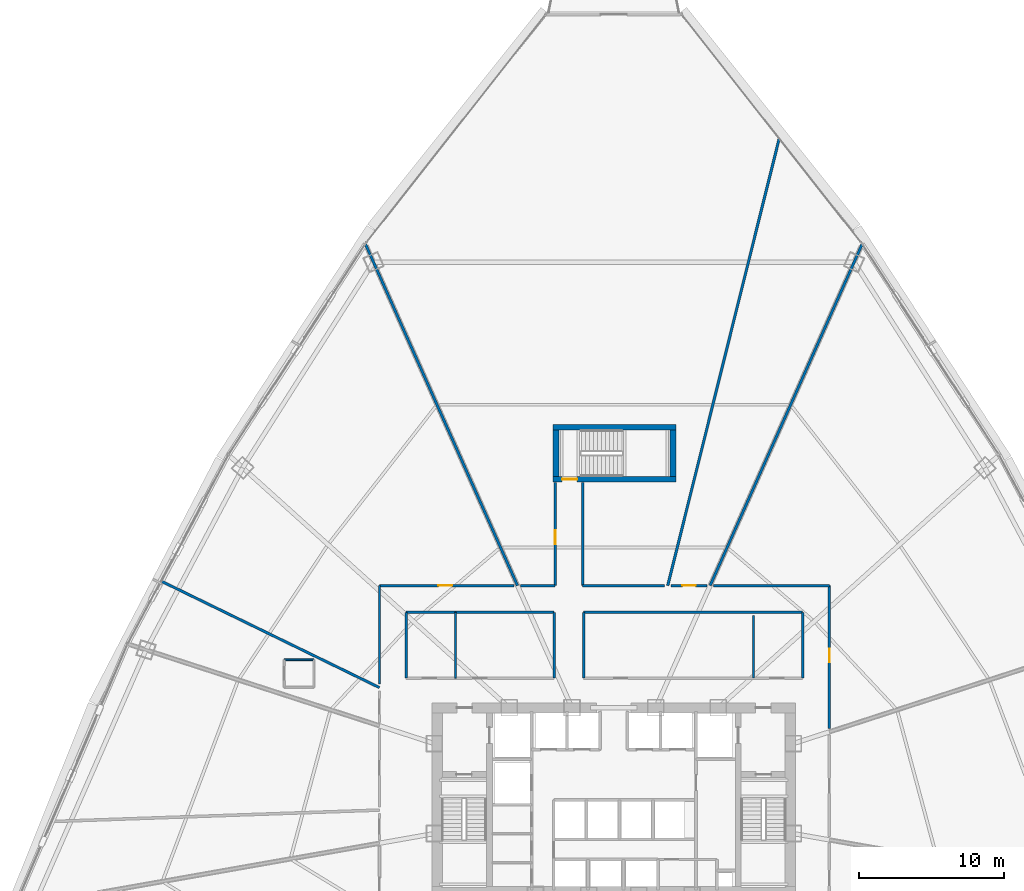
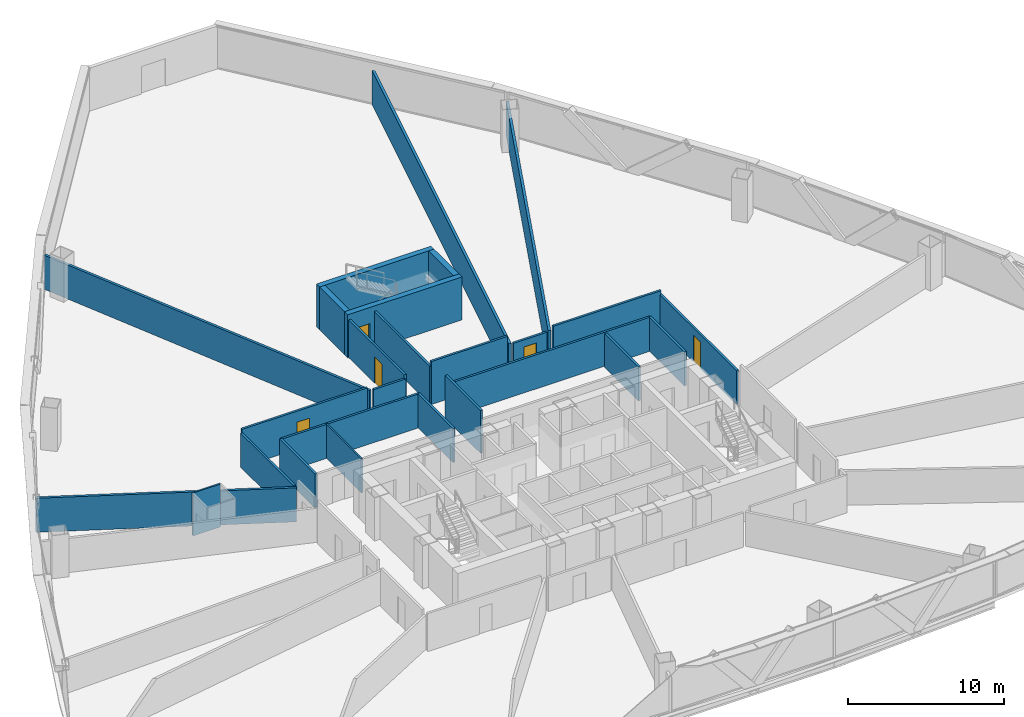
# One storey, part 31 of 37: 26 walls, 5 doors, 5 openings.
"""IFC4 building model written with IfcOpenShell, lengths in metres."""

from ifc_helpers import new_model, si_unit, direction, frame, frame_2d, origin, origin_with_axes, place, context, subcontext, project, spatial, rectangle, extrude, source, transform, mapped, material, layer, layer_set, type_object, element, fill, save


model = new_model("IFC4")

# Units and contexts
model_context = context("Model", 3, precision=1e-05, world=origin(), true_north=direction((0.0, 1.0)))
body_context = subcontext(model_context, "Body", "Model", "MODEL_VIEW")
ifc_project = project(units=[si_unit("LENGTHUNIT", "METRE"), si_unit("AREAUNIT", "SQUARE_METRE"), si_unit("VOLUMEUNIT", "CUBIC_METRE"), si_unit("PLANEANGLEUNIT", "RADIAN"), si_unit("MASSUNIT", "GRAM", prefix="KILO"), si_unit("THERMODYNAMICTEMPERATUREUNIT", "KELVIN"), si_unit("POWERUNIT", "WATT")], contexts=[model_context])

# Site, building, storey
site_placement = place(None, origin())
site = spatial("IfcSite", under=ifc_project, at=site_placement, CompositionType="ELEMENT")
building_placement = place(site_placement, origin())
building = spatial("IfcBuilding", under=site, at=building_placement, Name="Yunzhuo Pagoda Commons", CompositionType="ELEMENT")
storey_placement = place(building_placement, frame((0.0, 0.0, 55.81005859375)))
storey = spatial("IfcBuildingStorey", under=building, at=storey_placement, Name="L14", CompositionType="ELEMENT", Elevation=55.81005859375)

# Walls
ifc_material_1 = material(Name="Gypsum plasterboard on acoustic stud")
ifc_layer_1 = layer(ifc_material_1, 0.159912109375)
ifc_layer_set_1 = layer_set([ifc_layer_1], Name="Gypsum plasterboard on acoustic stud")
wall_type_1 = type_object("IfcWallType", Name="W-COR1 Tower Rated Corridor Wall 160", PredefinedType="PARTITIONING", material=ifc_layer_set_1)
wall_1_placement = place(storey_placement, frame((33.64990234375, 46.800048828125, 0.0), z_axis=(0.0, 0.0, 1.0), x_axis=(1.0, 0.0, 0.0)))
element("IfcWall", 1, at=wall_1_placement, inside=storey, type_object=wall_type_1, Name="L14 interior wall IW-L14-ISLWN", PredefinedType="PARTITIONING", context=body_context, shape_type="SweptSolid", body=[
    extrude(rectangle(XDim=10.22998046875, YDim=0.159912109375, at=frame_2d((5.114990234375, 0.0))), origin(), (0.0, 0.0, 1.0), 2.669921875),
])
for number, where, z_axis, x_axis, name in (
    (2, (33.64990234375, 42.25, 0.0), (0.0, 0.0, 1.0), (0.0, 1.0, 0.0), "L14 interior wall IW-L14-ISLWW"),
    (3, (43.8798828125, 42.25, 0.0), (0.0, 0.0, 1.0), (0.0, 1.0, 0.0), "L14 interior wall IW-L14-ISLWE"),
):
    element("IfcWall", number, at=place(storey_placement, frame(where, z_axis=z_axis, x_axis=x_axis)), inside=storey, type_object=wall_type_1, Name=name, PredefinedType="PARTITIONING", context=body_context, shape_type="SweptSolid", body=[
        extrude(rectangle(XDim=4.550048828125, YDim=0.159912109375, at=frame_2d((2.27490234375, 0.0))), origin(), (0.0, 0.0, 1.0), 2.669921875),
    ])
wall_2_placement = place(storey_placement, frame((45.919921875, 46.800048828125, 0.0), z_axis=(0.0, 0.0, 1.0), x_axis=(1.0, 0.0, 0.0)))
element("IfcWall", 4, at=wall_2_placement, inside=storey, type_object=wall_type_1, Name="L14 interior wall IW-L14-ISLEN", PredefinedType="PARTITIONING", context=body_context, shape_type="SweptSolid", body=[
    extrude(rectangle(XDim=15.130126953125, YDim=0.159912109375, at=frame_2d((7.56494140625, 0.0))), origin(), (0.0, 0.0, 1.0), 2.669921875),
])
wall_3_placement = place(storey_placement, frame((45.919921875, 42.25, 0.0), z_axis=(0.0, 0.0, 1.0), x_axis=(0.0, 1.0, 0.0)))
element("IfcWall", 5, at=wall_3_placement, inside=storey, type_object=wall_type_1, Name="L14 interior wall IW-L14-ISLEW", PredefinedType="PARTITIONING", context=body_context, shape_type="SweptSolid", body=[
    extrude(rectangle(XDim=4.550048828125, YDim=0.159912109375, at=frame_2d((2.27490234375, 0.0))), origin(), (0.0, 0.0, 1.0), 3.369873046875),
])
wall_4_placement = place(storey_placement, frame((61.050048828125, 42.25, 0.0), z_axis=(0.0, 0.0, 1.0), x_axis=(0.0, 1.0, 0.0)))
element("IfcWall", 6, at=wall_4_placement, inside=storey, type_object=wall_type_1, Name="L14 interior wall IW-L14-ISLEE", PredefinedType="PARTITIONING", context=body_context, shape_type="SweptSolid", body=[
    extrude(rectangle(XDim=4.550048828125, YDim=0.159912109375, at=frame_2d((2.27490234375, 0.0))), origin(), (0.0, 0.0, 1.0), 2.669921875),
])
wall_5_placement = place(storey_placement, frame((57.64990234375, 42.25, 0.0), z_axis=(0.0, 0.0, 1.0), x_axis=(0.0, 1.0, 0.0)))
element("IfcWall", 7, at=wall_5_placement, inside=storey, type_object=wall_type_1, Name="L14 interior wall IW-L14-ISL2W", PredefinedType="PARTITIONING", context=body_context, shape_type="SweptSolid", body=[
    extrude(rectangle(XDim=4.35009765625, YDim=0.159912109375, at=frame_2d((2.175048828125, 0.0))), origin(), (0.0, 0.0, 1.0), 2.669921875),
])
wall_6_placement = place(storey_placement, frame((31.800048828125, 41.84619140625, 0.0), z_axis=(0.0, 0.0, 1.0), x_axis=(0.0, 1.0, 0.0)))
element("IfcWall", 8, at=wall_6_placement, inside=storey, type_object=wall_type_1, Name="L14 interior wall IW-L14-CWL05", PredefinedType="PARTITIONING", context=body_context, shape_type="SweptSolid", body=[
    extrude(rectangle(XDim=6.8037109375, YDim=0.159912109375, at=frame_2d((3.40185546875, 0.0))), origin(), (0.0, 0.0, 1.0), 2.669921875),
])

# Wall, opening, door
wall_7_placement = place(storey_placement, frame((31.800048828125, 48.64990234375, 0.0), z_axis=(0.0, 0.0, 1.0), x_axis=(1.0, 0.0, 0.0)))
wall_7 = element("IfcWall", 9, at=wall_7_placement, inside=storey, type_object=wall_type_1, Name="L14 interior wall IW-L14-CWL06", PredefinedType="PARTITIONING", context=body_context, shape_type="SweptSolid", body=[
    extrude(rectangle(XDim=9.302978515625, YDim=0.159912109375, at=frame_2d((4.6513671875, 0.0))), origin(), (0.0, 0.0, 1.0), 2.969970703125),
])
opening_1_placement = place(wall_7_placement, frame((4.06689453125, 0.0, 0.0)))
opening_1 = element("IfcOpeningElement", 10, at=opening_1_placement, cuts=wall_7, Name="Opening D-06", PredefinedType="OPENING", context=body_context, shape_type="SweptSolid", body=[
    extrude(rectangle(XDim=0.949951171875, YDim=2.10009765625, at=frame_2d((0.47509765625, 1.050048828125))), frame((0.0, 0.08984375, 0.0), z_axis=(0.0, -1.0, 0.0), x_axis=(1.0, 0.0, 0.0)), (0.0, 0.0, 1.0), 0.179931640625),
])
ifc_material_2 = material(Name="Galvanized fire-resisting metal leaf")
door_type_1 = type_object("IfcDoorType", Name="D-06 Co-Living Suite Entrance Fire Door 950x2100", OperationType="NOTDEFINED", PredefinedType="DOOR", material=ifc_material_2)
shared_shape_1 = source(origin(), body_context, "Body", "SweptSolid", [
    extrude(rectangle(XDim=0.949951171875, YDim=2.10009765625, at=frame_2d((0.47509765625, 1.050048828125))), frame((0.0, 0.02490234375, 0.0), z_axis=(0.0, -1.0, 0.0), x_axis=(1.0, 0.0, 0.0)), (0.0, 0.0, 1.0), 0.050048828125),
])
door_1_placement = place(opening_1_placement, origin_with_axes())
door_1 = element("IfcDoor", 11, at=door_1_placement, inside=storey, type_object=door_type_1, Name="L14 Resident Co-Living Commons Hall door", OperationType="SINGLE_SWING_LEFT", OverallHeight=2.10009765625, OverallWidth=0.949951171875, PredefinedType="DOOR", context=body_context, shape_type="MappedRepresentation", body=[
    mapped(shared_shape_1, transform((0.0, 0.0, 0.0), scale=1.0)),
])
fill(opening_1, door_1)

# Wall
wall_8_placement = place(storey_placement, frame((41.563720703125, 48.64990234375, 0.0), z_axis=(0.0, 0.0, 1.0), x_axis=(1.0, 0.0, 0.0)))
element("IfcWall", 12, at=wall_8_placement, inside=storey, type_object=wall_type_1, Name="L14 interior wall IW-L14-CWL07", PredefinedType="PARTITIONING", context=body_context, shape_type="SweptSolid", body=[
    extrude(rectangle(XDim=2.38623046875, YDim=0.159912109375, at=frame_2d((1.193115234375, 0.0))), origin(), (0.0, 0.0, 1.0), 2.669921875),
])

# Wall, opening, door
wall_9_placement = place(storey_placement, frame((43.949951171875, 48.64990234375, 0.0), z_axis=(0.0, 0.0, 1.0), x_axis=(0.0, 1.0, 0.0)))
wall_9 = element("IfcWall", 13, at=wall_9_placement, inside=storey, type_object=wall_type_1, Name="L14 interior wall IW-L14-CWL08", PredefinedType="PARTITIONING", context=body_context, shape_type="SweptSolid", body=[
    extrude(rectangle(XDim=7.130126953125, YDim=0.159912109375, at=frame_2d((3.56494140625, 0.0))), origin(), (0.0, 0.0, 1.0), 2.969970703125),
])
opening_2_placement = place(wall_9_placement, frame((2.860107421875, 0.0, 0.0)))
opening_2 = element("IfcOpeningElement", 14, at=opening_2_placement, cuts=wall_9, Name="Opening D-06", PredefinedType="OPENING", context=body_context, shape_type="SweptSolid", body=[
    extrude(rectangle(XDim=0.949951171875, YDim=2.10009765625, at=frame_2d((0.47509765625, 1.050048828125))), frame((0.0, 0.08984375, 0.0), z_axis=(0.0, -1.0, 0.0), x_axis=(1.0, 0.0, 0.0)), (0.0, 0.0, 1.0), 0.179931640625),
])
door_2_placement = place(opening_2_placement, origin_with_axes())
door_2 = element("IfcDoor", 15, at=door_2_placement, inside=storey, type_object=door_type_1, Name="L14 unit 04 entrance door", OperationType="SINGLE_SWING_RIGHT", OverallHeight=2.10009765625, OverallWidth=0.949951171875, PredefinedType="DOOR", context=body_context, shape_type="MappedRepresentation", body=[
    mapped(shared_shape_1, transform((0.0, 0.0, 0.0), scale=1.0)),
])
fill(opening_2, door_2)

# Walls
wall_10_placement = place(storey_placement, frame((45.85009765625, 55.780029296875, 0.0), z_axis=(0.0, 0.0, 1.0), x_axis=(0.0, -1.0, 0.0)))
element("IfcWall", 16, at=wall_10_placement, inside=storey, type_object=wall_type_1, Name="L14 interior wall IW-L14-CWL09", PredefinedType="PARTITIONING", context=body_context, shape_type="SweptSolid", body=[
    extrude(rectangle(XDim=7.130126953125, YDim=0.159912109375, at=frame_2d((3.56494140625, 0.0))), origin(), (0.0, 0.0, 1.0), 2.969970703125),
])
wall_11_placement = place(storey_placement, frame((45.85009765625, 48.64990234375, 0.0), z_axis=(0.0, 0.0, 1.0), x_axis=(1.0, 0.0, 0.0)))
element("IfcWall", 17, at=wall_11_placement, inside=storey, type_object=wall_type_1, Name="L14 interior wall IW-L14-CWL10", PredefinedType="PARTITIONING", context=body_context, shape_type="SweptSolid", body=[
    extrude(rectangle(XDim=5.65771484375, YDim=0.159912109375, at=frame_2d((2.828857421875, 0.0))), origin(), (0.0, 0.0, 1.0), 3.369873046875),
])

# Wall, opening, door
wall_12_placement = place(storey_placement, frame((51.9541015625, 48.64990234375, 0.0), z_axis=(0.0, 0.0, 1.0), x_axis=(1.0, 0.0, 0.0)))
wall_12 = element("IfcWall", 18, at=wall_12_placement, inside=storey, type_object=wall_type_1, Name="L14 interior wall IW-L14-CWL11", PredefinedType="PARTITIONING", context=body_context, shape_type="SweptSolid", body=[
    extrude(rectangle(XDim=2.482177734375, YDim=0.159912109375, at=frame_2d((1.2412109375, 0.0))), origin(), (0.0, 0.0, 1.0), 2.669921875),
])
opening_3_placement = place(wall_12_placement, frame((0.777587890625, 0.0, 0.0)))
opening_3 = element("IfcOpeningElement", 19, at=opening_3_placement, cuts=wall_12, Name="Opening D-04", PredefinedType="OPENING", context=body_context, shape_type="SweptSolid", body=[
    extrude(rectangle(XDim=0.919921875, YDim=2.10009765625, at=frame_2d((0.4599609375, 1.050048828125))), frame((0.0, 0.08984375, 0.0), z_axis=(0.0, -1.0, 0.0), x_axis=(1.0, 0.0, 0.0)), (0.0, 0.0, 1.0), 0.179931640625),
])
ifc_material_3 = material(Name="Powder-coated aluminium and timber acoustic leaf", Category="wood")
door_type_2 = type_object("IfcDoorType", Name="D-04 Bedroom & Study Interior Door 920x2100", OperationType="NOTDEFINED", PredefinedType="DOOR", material=ifc_material_3)
shared_shape_2 = source(origin(), body_context, "Body", "SweptSolid", [
    extrude(rectangle(XDim=0.919921875, YDim=2.10009765625, at=frame_2d((0.4599609375, 1.050048828125))), frame((0.0, 0.02490234375, 0.0), z_axis=(0.0, -1.0, 0.0), x_axis=(1.0, 0.0, 0.0)), (0.0, 0.0, 1.0), 0.050048828125),
])
door_3_placement = place(opening_3_placement, origin_with_axes())
door_3 = element("IfcDoor", 20, at=door_3_placement, inside=storey, type_object=door_type_2, Name="L14 seminar room 03 door", OperationType="SINGLE_SWING_LEFT", OverallHeight=2.10009765625, OverallWidth=0.919921875, PredefinedType="DOOR", context=body_context, shape_type="MappedRepresentation", body=[
    mapped(shared_shape_2, transform((0.0, 0.0, 0.0), scale=1.0)),
])
fill(opening_3, door_3)

# Wall
wall_13_placement = place(storey_placement, frame((54.89697265625, 48.64990234375, 0.0), z_axis=(0.0, 0.0, 1.0), x_axis=(1.0, 0.0, 0.0)))
element("IfcWall", 21, at=wall_13_placement, inside=storey, type_object=wall_type_1, Name="L14 interior wall IW-L14-CWL12", PredefinedType="PARTITIONING", context=body_context, shape_type="SweptSolid", body=[
    extrude(rectangle(XDim=8.0029296875, YDim=0.159912109375, at=frame_2d((4.00146484375, 0.0))), origin(), (0.0, 0.0, 1.0), 2.969970703125),
])

# Wall, opening, door
wall_14_placement = place(storey_placement, frame((62.89990234375, 48.64990234375, 0.0), z_axis=(0.0, 0.0, 1.0), x_axis=(0.0, -1.0, 0.0)))
wall_14 = element("IfcWall", 22, at=wall_14_placement, inside=storey, type_object=wall_type_1, Name="L14 interior wall IW-L14-CWL13", PredefinedType="PARTITIONING", context=body_context, shape_type="SweptSolid", body=[
    extrude(rectangle(XDim=9.877197265625, YDim=0.159912109375, at=frame_2d((4.9384765625, 0.0))), origin(), (0.0, 0.0, 1.0), 2.669921875),
])
opening_4_placement = place(wall_14_placement, frame((4.349365234375, 0.0, 0.0)))
opening_4 = element("IfcOpeningElement", 23, at=opening_4_placement, cuts=wall_14, Name="Opening D-06", PredefinedType="OPENING", context=body_context, shape_type="SweptSolid", body=[
    extrude(rectangle(XDim=0.949951171875, YDim=2.10009765625, at=frame_2d((0.47509765625, 1.050048828125))), frame((0.0, 0.08984375, 0.0), z_axis=(0.0, -1.0, 0.0), x_axis=(1.0, 0.0, 0.0)), (0.0, 0.0, 1.0), 0.179931640625),
])
door_4_placement = place(opening_4_placement, origin_with_axes())
door_4 = element("IfcDoor", 24, at=door_4_placement, inside=storey, type_object=door_type_1, Name="L14 Shared Resident Kitchen and Pantry door", OperationType="SINGLE_SWING_RIGHT", OverallHeight=2.10009765625, OverallWidth=0.949951171875, PredefinedType="DOOR", context=body_context, shape_type="MappedRepresentation", body=[
    mapped(shared_shape_1, transform((0.0, 0.0, 0.0), scale=1.0)),
])
fill(opening_4, door_4)

# Walls
ifc_layer_2 = layer(ifc_material_1, 0.1201171875)
ifc_layer_set_2 = layer_set([ifc_layer_2], Name="Gypsum plasterboard on acoustic stud")
wall_type_2 = type_object("IfcWallType", Name="W-PRT1 Suite & Bathroom Partition 120", PredefinedType="PARTITIONING", material=ifc_layer_set_2)
wall_15_placement = place(storey_placement, frame((37.050048828125, 42.25, 0.0), z_axis=(0.0, 0.0, 1.0), x_axis=(0.0, 1.0, 0.0)))
element("IfcWall", 25, at=wall_15_placement, inside=storey, type_object=wall_type_2, Name="L14 interior wall IW-L14-ISLW1", PredefinedType="PARTITIONING", context=body_context, shape_type="SweptSolid", body=[
    extrude(rectangle(XDim=4.550048828125, YDim=0.1201171875, at=frame_2d((2.27490234375, 0.0))), origin(), (0.0, 0.0, 1.0), 2.669921875),
])
wall_16_placement = place(storey_placement, frame((27.26806640625, 43.531005859375, 0.0), z_axis=(0.0, 0.0, 1.0), x_axis=(-1.0, 0.0, 0.0)))
element("IfcWall", 26, at=wall_16_placement, inside=storey, type_object=wall_type_2, Name="L14 interior wall IW-L14-B06N", PredefinedType="PARTITIONING", context=body_context, shape_type="SweptSolid", body=[
    extrude(rectangle(XDim=2.050048828125, YDim=0.1201171875, at=frame_2d((1.02490234375, 0.0))), origin(), (0.0, 0.0, 1.0), 3.369873046875),
])
ifc_layer_3 = layer(ifc_material_1, 0.179931640625)
ifc_layer_set_3 = layer_set([ifc_layer_3], Name="Gypsum plasterboard on acoustic stud")
wall_type_3 = type_object("IfcWallType", Name="W-PRT2 Acoustic Unit Demising Wall 180", PredefinedType="PARTITIONING", material=ifc_layer_set_3)
wall_17_placement = place(storey_placement, frame((54.65625, 48.64990234375, 0.0), z_axis=(0.0, 0.0, 1.0), x_axis=(0.406729800422, 0.913548504158, 0.0)))
element("IfcWall", 27, at=wall_17_placement, inside=storey, type_object=wall_type_3, Name="L14 interior wall IW-L14-RAD02", PredefinedType="PARTITIONING", context=body_context, shape_type="SweptSolid", body=[
    extrude(rectangle(XDim=25.853515625, YDim=0.179931640625, at=frame_2d((12.9267578125, 0.0))), origin(), (0.0, 0.0, 1.0), 2.669921875),
])
wall_18_placement = place(storey_placement, frame((51.7275390625, 48.64990234375, 0.0), z_axis=(0.0, 0.0, 1.0), x_axis=(0.241918895985, 0.970296474159, 0.0)))
element("IfcWall", 28, at=wall_18_placement, inside=storey, type_object=wall_type_3, Name="L14 interior wall IW-L14-RAD03", PredefinedType="PARTITIONING", context=body_context, shape_type="SweptSolid", body=[
    extrude(rectangle(XDim=31.85791015625, YDim=0.179931640625, at=frame_2d((15.928955078125, 0.0))), origin(), (0.0, 0.0, 1.0), 2.669921875),
])
wall_19_placement = place(storey_placement, frame((41.34375, 48.64990234375, 0.0), z_axis=(0.0, 0.0, 1.0), x_axis=(-0.406729800422, 0.913548504158, 0.0)))
element("IfcWall", 29, at=wall_19_placement, inside=storey, type_object=wall_type_3, Name="L14 interior wall IW-L14-RAD04", PredefinedType="PARTITIONING", context=body_context, shape_type="SweptSolid", body=[
    extrude(rectangle(XDim=25.853515625, YDim=0.179931640625, at=frame_2d((12.9267578125, 0.0))), origin(), (0.0, 0.0, 1.0), 2.669921875),
])
wall_20_placement = place(storey_placement, frame((31.800048828125, 41.601318359375, 0.0), z_axis=(0.0, 0.0, 1.0), x_axis=(-0.898795978277, 0.438367185625, 0.0)))
element("IfcWall", 30, at=wall_20_placement, inside=storey, type_object=wall_type_3, Name="L14 interior wall IW-L14-RAD05", PredefinedType="PARTITIONING", context=body_context, shape_type="SweptSolid", body=[
    extrude(rectangle(XDim=16.78759765625, YDim=0.179931640625, at=frame_2d((8.393798828125, 0.0))), origin(), (0.0, 0.0, 1.0), 2.669921875),
])
ifc_material_4 = material(Name="Concrete C60", Category="concrete")
ifc_layer_4 = layer(ifc_material_4, 0.39990234375)
ifc_layer_set_4 = layer_set([ifc_layer_4], Name="Concrete C60")
wall_type_4 = type_object("IfcWallType", Name="W-S01 Internal Core Shear Web 400", PredefinedType="SHEAR", material=ifc_layer_set_4)
wall_21_placement = place(storey_placement, frame((43.800048828125, 59.60009765625, 0.0), z_axis=(0.0, 0.0, 1.0), x_axis=(1.0, 0.0, 0.0)))
element("IfcWall", 31, at=wall_21_placement, inside=storey, type_object=wall_type_4, Name="L14 ST3 structural stair wall N", PredefinedType="SHEAR", context=body_context, shape_type="SweptSolid", body=[
    extrude(rectangle(XDim=8.5, YDim=0.39990234375, at=frame_2d((4.25, 0.0))), origin(), (0.0, 0.0, 1.0), 3.369873046875),
])

# Wall, opening, door
wall_22_placement = place(storey_placement, frame((43.800048828125, 56.0, 0.0), z_axis=(0.0, 0.0, 1.0), x_axis=(1.0, 0.0, 0.0)))
wall_22 = element("IfcWall", 32, at=wall_22_placement, inside=storey, type_object=wall_type_4, Name="L14 ST3 structural stair wall S", PredefinedType="SHEAR", context=body_context, shape_type="SweptSolid", body=[
    extrude(rectangle(XDim=8.5, YDim=0.39990234375, at=frame_2d((4.25, 0.0))), origin(), (0.0, 0.0, 1.0), 3.369873046875),
])
opening_5_placement = place(wall_22_placement, frame((0.6201171875, 0.0, 0.0)))
opening_5 = element("IfcOpeningElement", 33, at=opening_5_placement, cuts=wall_22, Name="Opening D-01", PredefinedType="OPENING", context=body_context, shape_type="SweptSolid", body=[
    extrude(rectangle(XDim=1.050048828125, YDim=2.10009765625, at=frame_2d((0.52490234375, 1.050048828125))), frame((0.0, 0.2099609375, 0.0), z_axis=(0.0, -1.0, 0.0), x_axis=(1.0, 0.0, 0.0)), (0.0, 0.0, 1.0), 0.419921875),
])
door_type_3 = type_object("IfcDoorType", Name="D-01 Smokeproof Stair Fire Door 1050x2100", OperationType="NOTDEFINED", PredefinedType="DOOR", material=ifc_material_2)
shared_shape_3 = source(origin(), body_context, "Body", "SweptSolid", [
    extrude(rectangle(XDim=1.050048828125, YDim=2.10009765625, at=frame_2d((0.52490234375, 1.050048828125))), frame((0.0, 0.02490234375, 0.0), z_axis=(0.0, -1.0, 0.0), x_axis=(1.0, 0.0, 0.0)), (0.0, 0.0, 1.0), 0.050048828125),
])
door_5_placement = place(opening_5_placement, frame((1.050048828125, 0.0, 0.0), z_axis=(0.0, 0.0, 1.0), x_axis=(-1.0, 0.0, 0.0)))
door_5 = element("IfcDoor", 34, at=door_5_placement, inside=storey, type_object=door_type_3, Name="L14 Stair ST3 fire door", OperationType="SINGLE_SWING_LEFT", OverallHeight=2.10009765625, OverallWidth=1.050048828125, PredefinedType="DOOR", context=body_context, shape_type="MappedRepresentation", body=[
    mapped(shared_shape_3, transform((0.0, 0.0, 0.0), scale=1.0)),
])
fill(opening_5, door_5)

# Walls
for number, where, z_axis, x_axis, name in (
    (35, (44.0, 56.199951171875, 0.0), (0.0, 0.0, 1.0), (0.0, 1.0, 0.0), "L14 ST3 structural stair wall W"),
    (36, (52.10009765625, 56.199951171875, 0.0), (0.0, 0.0, 1.0), (0.0, 1.0, 0.0), "L14 ST3 structural stair wall E"),
):
    element("IfcWall", number, at=place(storey_placement, frame(where, z_axis=z_axis, x_axis=x_axis)), inside=storey, type_object=wall_type_4, Name=name, PredefinedType="SHEAR", context=body_context, shape_type="SweptSolid", body=[
        extrude(rectangle(XDim=3.199951171875, YDim=0.39990234375, at=frame_2d((1.60009765625, 0.0))), origin(), (0.0, 0.0, 1.0), 3.369873046875),
    ])

save(model, "model.ifc")
